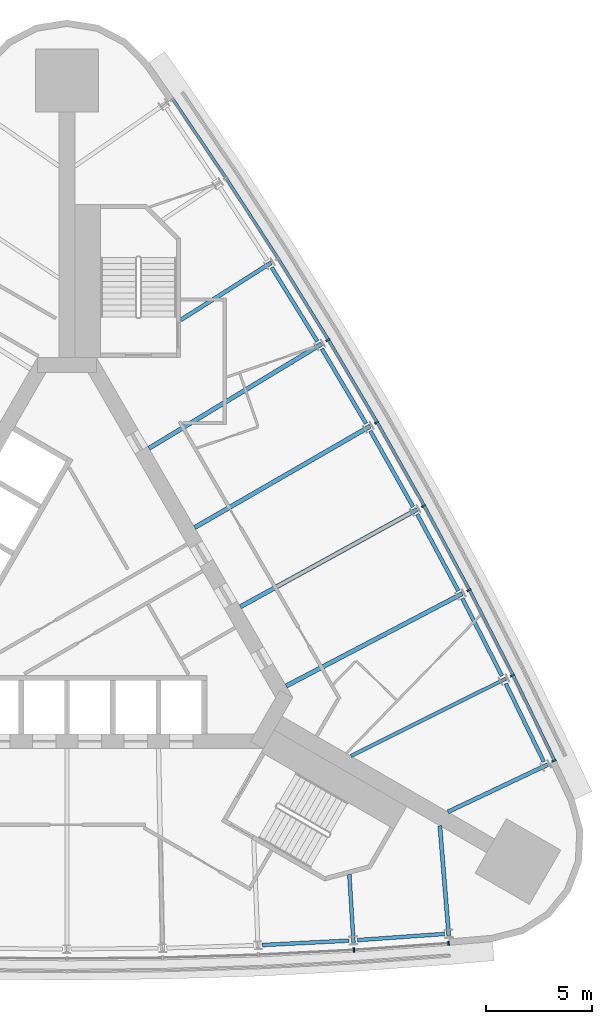
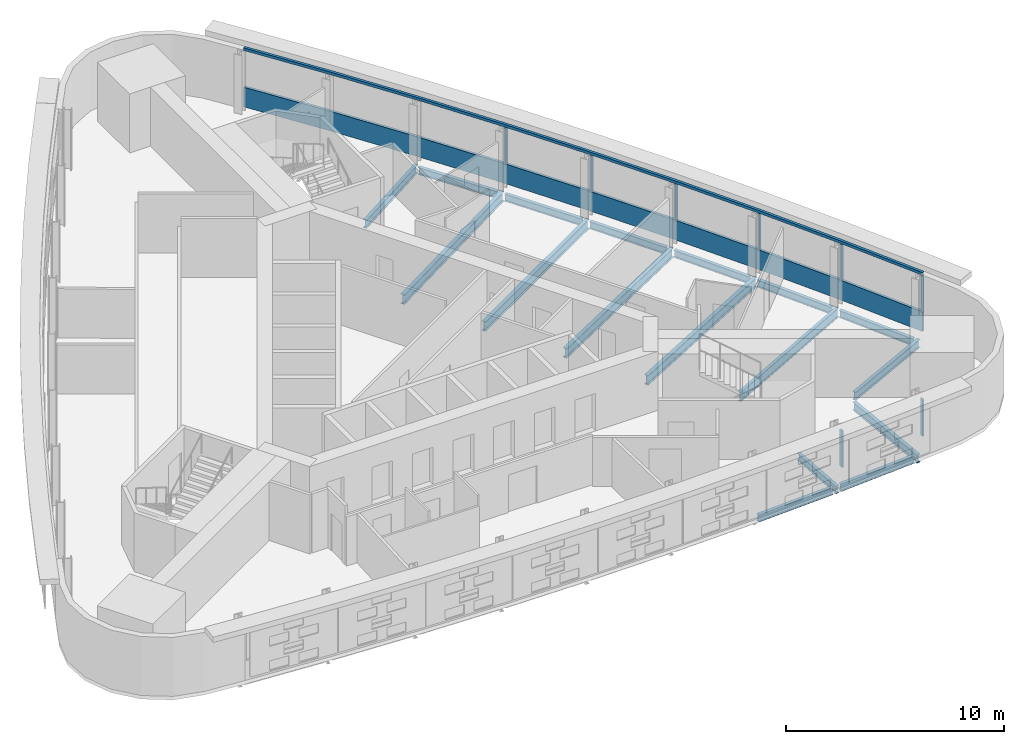
# One storey, part 4 of 11: 17 beams, 10 members, 2 elements without a shape of their own.
"""IFC4 building model written with IfcOpenShell, lengths in metres."""

from ifc_helpers import new_model, si_unit, direction, frame, origin, origin_2d, place, context, subcontext, project, spatial, polyline, rectangle, i_section, outline, extrude, material, material_profile, profile_set, type_object, element, aggregate, save


model = new_model("IFC4")

# Units and contexts
model_context = context("Model", 3, precision=1e-05, world=origin(), true_north=direction((0.0, 1.0)))
body_context = subcontext(model_context, "Body", "Model", "MODEL_VIEW")
ifc_project = project(units=[si_unit("LENGTHUNIT", "METRE"), si_unit("AREAUNIT", "SQUARE_METRE"), si_unit("VOLUMEUNIT", "CUBIC_METRE"), si_unit("PLANEANGLEUNIT", "RADIAN"), si_unit("MASSUNIT", "GRAM", prefix="KILO")], contexts=[model_context])

# Site, building, storey
site_placement = place(None, origin())
site = spatial("IfcSite", under=ifc_project, at=site_placement, CompositionType="ELEMENT")
building_placement = place(site_placement, origin())
building = spatial("IfcBuilding", under=site, at=building_placement, Name="Noor Cloister Tower", CompositionType="ELEMENT")
storey_placement = place(building_placement, frame((0.0, 0.0, 123.89990234375)))
storey = spatial("IfcBuildingStorey", under=building, at=storey_placement, Name="L32", CompositionType="ELEMENT", Elevation=123.89990234375)

# Curtain wall, member
ifc_material_1 = material(Name="Aluminium 6063-T6 anodised", Category="aluminium")
curtain_wall_type = type_object("IfcCurtainWallType", Name="Ribbon curtain wall, lower tower CW1", PredefinedType="NOTDEFINED", material=ifc_material_1)
curtain_wall_1_placement = place(storey_placement, origin())
curtain_wall_1 = element("IfcCurtainWall", 1, at=curtain_wall_1_placement, inside=storey, type_object=curtain_wall_type, Name="CW1 L32 NE run 3", PredefinedType="NOTDEFINED")
ifc_material_2 = material(Name="Aluminium 6063-T6 anodised", Category="aluminium")
member_type_1 = type_object("IfcMemberType", Name="Head transom CW1 150", PredefinedType="USERDEFINED", material=ifc_material_2)
member_1_placement = place(storey_placement, frame((0.0, 0.0, 3.150146484375)))
member_1 = element("IfcMember", 2, at=member_1_placement, type_object=member_type_1, Name="CW1 head transom", ObjectType="TRANSOM", PredefinedType="USERDEFINED", context=body_context, shape_type="SweptSolid", body=[
    extrude(outline(polyline([(22.992919921875, -7.48681640625), (21.025146484375, -3.43994140625), (18.9755859375, 0.566162109375), (16.845458984375, 4.52978515625), (14.635009765625, 8.449462890625), (12.345703125, 12.323486328125), (9.978271484375, 16.150390625), (7.533447265625, 19.92822265625), (5.0126953125, 23.65576171875), (4.896728515625, 23.577392578125), (7.416748046875, 19.85107421875), (9.85986328125, 16.075439453125), (12.225830078125, 12.251220703125), (14.513916015625, 8.379638671875), (16.72265625, 4.46240234375), (18.851806640625, 0.501220703125), (20.89990234375, -3.50244140625), (22.866943359375, -7.548095703125), (22.992919921875, -7.48681640625)])), origin(), (0.0, 0.0, 1.0), 0.14990234375),
])

# Curtain wall, members
curtain_wall_2_placement = place(storey_placement, origin())
curtain_wall_2 = element("IfcCurtainWall", 3, at=curtain_wall_2_placement, inside=storey, type_object=curtain_wall_type, Name="CW1 L32 S run 2", PredefinedType="NOTDEFINED")
ifc_material_3 = material(Name="Aluminium 6063-T6 anodised", Category="aluminium")
ifc_material_profile_1 = material_profile(ifc_material_3, rectangle(XDim=0.199951171875, YDim=0.080078125, at=origin_2d()), Name="200 x 80 mullion")
ifc_profile_set_1 = profile_set([ifc_material_profile_1], Name="Aluminium 6063-T6 anodised")
member_type_2 = type_object("IfcMemberType", Name="Mullion CW1 80 x 200", PredefinedType="MULLION", material=ifc_profile_set_1)
member_2_placement = place(storey_placement, frame((13.485595703125, -16.388427734375, 1.10009765625), z_axis=(0.0, 0.0, 1.0), x_axis=(-0.060846806136, 0.998147116503, 0.0)))
member_2 = element("IfcMember", 4, at=member_2_placement, type_object=member_type_2, Name="CW1 mullion 8", PredefinedType="MULLION", context=body_context, shape_type="SweptSolid", body=[
    extrude(rectangle(XDim=0.199951171875, YDim=0.080078125, at=origin_2d()), origin(), (0.0, 0.0, 1.0), 2.050048828125),
])
member_3_placement = place(storey_placement, frame((17.933349609375, -16.072021484375, 1.10009765625), z_axis=(0.0, 0.0, 1.0), x_axis=(-0.070972094341, 0.997478301431, 0.0)))
member_3 = element("IfcMember", 5, at=member_3_placement, type_object=member_type_2, Name="CW1 mullion 9", PredefinedType="MULLION", context=body_context, shape_type="SweptSolid", body=[
    extrude(rectangle(XDim=0.199951171875, YDim=0.080078125, at=origin_2d()), origin(), (0.0, 0.0, 1.0), 2.050048828125),
])
aggregate(curtain_wall_2, [member_2, member_3])

# Member
member_4_placement = place(storey_placement, frame((22.885498046875, -7.49462890625, 1.10009765625), z_axis=(0.0, 0.0, 1.0), x_axis=(-0.899327595933, -0.437275514056, 0.0)))
member_4 = element("IfcMember", 6, at=member_4_placement, type_object=member_type_2, Name="CW1 mullion 1", PredefinedType="MULLION", context=body_context, shape_type="SweptSolid", body=[
    extrude(rectangle(XDim=0.199951171875, YDim=0.080078125, at=origin_2d()), origin(), (0.0, 0.0, 1.0), 2.050048828125),
])

member_5_placement = place(storey_placement, frame((20.935546875, -3.484619140625, 1.10009765625), z_axis=(0.0, 0.0, 1.0), x_axis=(-0.894844162674, -0.446378678398, 0.0)))
member_5 = element("IfcMember", 7, at=member_5_placement, type_object=member_type_2, Name="CW1 mullion 2", PredefinedType="MULLION", context=body_context, shape_type="SweptSolid", body=[
    extrude(rectangle(XDim=0.199951171875, YDim=0.080078125, at=origin_2d()), origin(), (0.0, 0.0, 1.0), 2.050048828125),
])

member_6_placement = place(storey_placement, frame((18.88720703125, 0.519775390625, 1.10009765625), z_axis=(0.0, 0.0, 1.0), x_axis=(-0.885601336169, -0.464446200733, 0.0)))
member_6 = element("IfcMember", 8, at=member_6_placement, type_object=member_type_2, Name="CW1 mullion 3", PredefinedType="MULLION", context=body_context, shape_type="SweptSolid", body=[
    extrude(rectangle(XDim=0.199951171875, YDim=0.080078125, at=origin_2d()), origin(), (0.0, 0.0, 1.0), 2.050048828125),
])

member_7_placement = place(storey_placement, frame((16.7578125, 4.481689453125, 1.10009765625), z_axis=(0.0, 0.0, 1.0), x_axis=(-0.875993769707, -0.482322418549, 0.0)))
member_7 = element("IfcMember", 9, at=member_7_placement, type_object=member_type_2, Name="CW1 mullion 4", PredefinedType="MULLION", context=body_context, shape_type="SweptSolid", body=[
    extrude(rectangle(XDim=0.199951171875, YDim=0.080078125, at=origin_2d()), origin(), (0.0, 0.0, 1.0), 2.050048828125),
])

member_8_placement = place(storey_placement, frame((14.548583984375, 8.399658203125, 1.10009765625), z_axis=(0.0, 0.0, 1.0), x_axis=(-0.866025403784, -0.5, 0.0)))
member_8 = element("IfcMember", 10, at=member_8_placement, type_object=member_type_2, Name="CW1 mullion 5", PredefinedType="MULLION", context=body_context, shape_type="SweptSolid", body=[
    extrude(rectangle(XDim=0.199951171875, YDim=0.080078125, at=origin_2d()), origin(), (0.0, 0.0, 1.0), 2.050048828125),
])

member_9_placement = place(storey_placement, frame((12.26025390625, 12.271728515625, 1.10009765625), z_axis=(0.0, 0.0, 1.0), x_axis=(-0.855700352132, -0.517471648848, 0.0)))
member_9 = element("IfcMember", 11, at=member_9_placement, type_object=member_type_2, Name="CW1 mullion 6", PredefinedType="MULLION", context=body_context, shape_type="SweptSolid", body=[
    extrude(rectangle(XDim=0.199951171875, YDim=0.080078125, at=origin_2d()), origin(), (0.0, 0.0, 1.0), 2.050048828125),
])

# Beams
ifc_material_4 = material(Name="Steel ASTM A992 Gr 50", Category="steel")
ifc_material_profile_2 = material_profile(ifc_material_4, i_section(OverallWidth=0.177978515625, OverallDepth=0.406005859375, WebThickness=0.0078125, FlangeThickness=0.0126953125, FilletRadius=0.01025390625, at=origin_2d()), Name="W410x60")
ifc_profile_set_2 = profile_set([ifc_material_profile_2], Name="Steel ASTM A992 Gr 50")
beam_type_1 = type_object("IfcBeamType", Name="Radial beam W410x60", PredefinedType="BEAM", material=ifc_profile_set_2)
beam_1_placement = place(storey_placement, frame((13.46435546875, -16.03955078125, -0.40283203125), z_axis=(-0.060867192533, 0.998145873544, 0.0), x_axis=(-0.998145873544, -0.060867192533, 0.0)))
element("IfcBeam", 12, at=beam_1_placement, inside=storey, type_object=beam_type_1, Name="Radial beam S 08 L32", PredefinedType="BEAM", context=body_context, shape_type="SweptSolid", body=[
    extrude(i_section(OverallWidth=0.177978515625, OverallDepth=0.406005859375, WebThickness=0.0078125, FlangeThickness=0.0126953125, FilletRadius=0.01025390625, at=origin_2d()), origin(), (0.0, 0.0, 1.0), 3.208740234375),
])
ifc_material_5 = material(Name="Steel ASTM A992 Gr 50", Category="steel")
ifc_material_profile_3 = material_profile(ifc_material_5, i_section(OverallWidth=0.19091796875, OverallDepth=0.45703125, WebThickness=0.009033203125, FlangeThickness=0.014404296875, FilletRadius=0.01025390625, at=origin_2d()), Name="W460x74")
ifc_profile_set_3 = profile_set([ifc_material_profile_3], Name="Steel ASTM A992 Gr 50")
beam_type_2 = type_object("IfcBeamType", Name="Radial beam W460x74", PredefinedType="BEAM", material=ifc_profile_set_3)
for number, where, z_axis, x_axis, name in (
    (13, (17.94384765625, -15.720947265625, -0.428466796875), (-0.08108247603, 0.996707395418, 0.0), (-0.996707395418, -0.08108247603, 0.0), "Radial beam S 09 L32"),
    (14, (22.586669921875, -7.67919921875, -0.428466796875), (-0.903712923998, -0.428138938895, 0.0), (0.428138938895, -0.903712923998, 0.0), "Radial beam NE 01 L32"),
):
    element("IfcBeam", number, at=place(storey_placement, frame(where, z_axis=z_axis, x_axis=x_axis)), inside=storey, type_object=beam_type_2, Name=name, PredefinedType="BEAM", context=body_context, shape_type="SweptSolid", body=[
        extrude(i_section(OverallWidth=0.19091796875, OverallDepth=0.45703125, WebThickness=0.009033203125, FlangeThickness=0.014404296875, FilletRadius=0.01025390625, at=origin_2d()), origin(), (0.0, 0.0, 1.0), 5.18798828125),
    ])
beam_2_placement = place(storey_placement, frame((9.598388671875, 15.909912109375, -0.428466796875), z_axis=(-0.845037776893, -0.534706607051, 0.0), x_axis=(0.534706607051, -0.845037776893, 0.0)))
element("IfcBeam", 15, at=beam_2_placement, inside=storey, type_object=beam_type_2, Name="Radial beam NE 07 L32", PredefinedType="BEAM", context=body_context, shape_type="SweptSolid", body=[
    extrude(i_section(OverallWidth=0.19091796875, OverallDepth=0.45703125, WebThickness=0.009033203125, FlangeThickness=0.014404296875, FilletRadius=0.01025390625, at=origin_2d()), origin(), (0.0, 0.0, 1.0), 5.04443359375),
])
ifc_material_6 = material(Name="Steel ASTM A992 Gr 50", Category="steel")
ifc_material_profile_4 = material_profile(ifc_material_6, i_section(OverallWidth=0.166015625, OverallDepth=0.528076171875, WebThickness=0.009765625, FlangeThickness=0.013671875, FilletRadius=0.0126953125, at=origin_2d()), Name="W530x74")
ifc_profile_set_4 = profile_set([ifc_material_profile_4], Name="Steel ASTM A992 Gr 50")
beam_type_3 = type_object("IfcBeamType", Name="Radial beam W530x74", PredefinedType="BEAM", material=ifc_profile_set_4)
beam_3_placement = place(storey_placement, frame((20.622802734375, -3.640625, -0.4638671875), z_axis=(-0.894835035087, -0.446396975775, 0.0), x_axis=(0.446396975775, -0.894835035087, 0.0)))
element("IfcBeam", 16, at=beam_3_placement, inside=storey, type_object=beam_type_3, Name="Radial beam NE 02 L32", PredefinedType="BEAM", context=body_context, shape_type="SweptSolid", body=[
    extrude(i_section(OverallWidth=0.166015625, OverallDepth=0.528076171875, WebThickness=0.009765625, FlangeThickness=0.013671875, FilletRadius=0.0126953125, at=origin_2d()), origin(), (0.0, 0.0, 1.0), 8.1337890625),
])
ifc_material_7 = material(Name="Steel ASTM A992 Gr 50", Category="steel")
ifc_material_profile_5 = material_profile(ifc_material_7, i_section(OverallWidth=0.208984375, OverallDepth=0.532958984375, WebThickness=0.01025390625, FlangeThickness=0.015625, FilletRadius=0.0126953125, at=origin_2d()), Name="W530x92")
ifc_profile_set_5 = profile_set([ifc_material_profile_5], Name="Steel ASTM A992 Gr 50")
beam_type_4 = type_object("IfcBeamType", Name="Radial beam W530x92", PredefinedType="BEAM", material=ifc_profile_set_5)
beam_4_placement = place(storey_placement, frame((18.57763671875, 0.357421875, -0.46630859375), z_axis=(-0.885603411569, -0.46444224336, 0.0), x_axis=(0.46444224336, -0.885603411569, 0.0)))
element("IfcBeam", 17, at=beam_4_placement, inside=storey, type_object=beam_type_4, Name="Radial beam NE 03 L32", PredefinedType="BEAM", context=body_context, shape_type="SweptSolid", body=[
    extrude(i_section(OverallWidth=0.208984375, OverallDepth=0.532958984375, WebThickness=0.01025390625, FlangeThickness=0.015625, FilletRadius=0.0126953125, at=origin_2d()), origin(), (0.0, 0.0, 1.0), 9.346923828125),
])
beam_5_placement = place(storey_placement, frame((16.45166015625, 4.31298828125, -0.46630859375), z_axis=(-0.875996641486, -0.482317202787, 0.0), x_axis=(0.482317202787, -0.875996641486, 0.0)))
element("IfcBeam", 18, at=beam_5_placement, inside=storey, type_object=beam_type_4, Name="Radial beam NE 04 L32", PredefinedType="BEAM", context=body_context, shape_type="SweptSolid", body=[
    extrude(i_section(OverallWidth=0.208984375, OverallDepth=0.532958984375, WebThickness=0.01025390625, FlangeThickness=0.015625, FilletRadius=0.0126953125, at=origin_2d()), origin(), (0.0, 0.0, 1.0), 9.477783203125),
])
beam_6_placement = place(storey_placement, frame((14.245849609375, 8.224853515625, -0.46630859375), z_axis=(-0.866025463095, -0.499999897272, 0.0), x_axis=(0.499999897272, -0.866025463095, 0.0)))
element("IfcBeam", 19, at=beam_6_placement, inside=storey, type_object=beam_type_4, Name="Radial beam NE 05 L32", PredefinedType="BEAM", context=body_context, shape_type="SweptSolid", body=[
    extrude(i_section(OverallWidth=0.208984375, OverallDepth=0.532958984375, WebThickness=0.01025390625, FlangeThickness=0.015625, FilletRadius=0.0126953125, at=origin_2d()), origin(), (0.0, 0.0, 1.0), 9.521484375),
])
beam_7_placement = place(storey_placement, frame((11.961181640625, 12.091064453125, -0.46630859375), z_axis=(-0.85570360183, -0.51746627505, 0.0), x_axis=(0.51746627505, -0.85570360183, 0.0)))
element("IfcBeam", 20, at=beam_7_placement, inside=storey, type_object=beam_type_4, Name="Radial beam NE 06 L32", PredefinedType="BEAM", context=body_context, shape_type="SweptSolid", body=[
    extrude(i_section(OverallWidth=0.208984375, OverallDepth=0.532958984375, WebThickness=0.01025390625, FlangeThickness=0.015625, FilletRadius=0.0126953125, at=origin_2d()), origin(), (0.0, 0.0, 1.0), 9.47802734375),
])

# Member
ifc_material_8 = material(Name="Aluminium 6063-T6 anodised", Category="aluminium")
member_type_3 = type_object("IfcMemberType", Name="Sill transom CW1 1100", PredefinedType="USERDEFINED", material=ifc_material_8)
member_10_placement = place(storey_placement, origin())
member_10 = element("IfcMember", 21, at=member_10_placement, type_object=member_type_3, Name="CW1 sill transom", ObjectType="TRANSOM", PredefinedType="USERDEFINED", context=body_context, shape_type="SweptSolid", body=[
    extrude(outline(polyline([(22.992919921875, -7.48681640625), (21.025146484375, -3.43994140625), (18.9755859375, 0.566162109375), (16.845458984375, 4.52978515625), (14.635009765625, 8.449462890625), (12.345703125, 12.323486328125), (9.978271484375, 16.150390625), (7.533447265625, 19.92822265625), (5.0126953125, 23.65576171875), (4.896728515625, 23.577392578125), (7.416748046875, 19.85107421875), (9.85986328125, 16.075439453125), (12.225830078125, 12.251220703125), (14.513916015625, 8.379638671875), (16.72265625, 4.46240234375), (18.851806640625, 0.501220703125), (20.89990234375, -3.50244140625), (22.866943359375, -7.548095703125), (22.992919921875, -7.48681640625)])), origin(), (0.0, 0.0, 1.0), 1.10009765625),
])

aggregate(curtain_wall_1, [member_4, member_5, member_6, member_7, member_8, member_9, member_10, member_1])

# Beams
ifc_material_9 = material(Name="Steel ASTM A992 Gr 50", Category="steel")
ifc_material_profile_6 = material_profile(ifc_material_9, i_section(OverallWidth=0.177978515625, OverallDepth=0.406005859375, WebThickness=0.0078125, FlangeThickness=0.0126953125, FilletRadius=0.01025390625, at=origin_2d()), Name="W410x60")
ifc_profile_set_6 = profile_set([ifc_material_profile_6], Name="Steel ASTM A992 Gr 50")
beam_type_5 = type_object("IfcBeamType", Name="Spandrel beam W410x60", PredefinedType="SPANDREL", material=ifc_profile_set_6)
beam_8_placement = place(storey_placement, frame((9.175537109375, -16.15673828125, -0.40283203125), z_axis=(0.998713616936, 0.050706127304, 0.0), x_axis=(-0.050706127304, 0.998713616936, 0.0)))
element("IfcBeam", 22, at=beam_8_placement, inside=storey, type_object=beam_type_5, Name="Spandrel beam S 07 L32", PredefinedType="SPANDREL", context=body_context, shape_type="SweptSolid", body=[
    extrude(i_section(OverallWidth=0.177978515625, OverallDepth=0.406005859375, WebThickness=0.0078125, FlangeThickness=0.0126953125, FilletRadius=0.01025390625, at=origin_2d()), origin(), (0.0, 0.0, 1.0), 4.087890625),
])
beam_9_placement = place(storey_placement, frame((13.658203125, -15.925048828125, -0.40283203125), z_axis=(0.997479576003, 0.07095417857, 0.0), x_axis=(-0.07095417857, 0.997479576003, 0.0)))
element("IfcBeam", 23, at=beam_9_placement, inside=storey, type_object=beam_type_5, Name="Spandrel beam S 08 L32", PredefinedType="SPANDREL", context=body_context, shape_type="SweptSolid", body=[
    extrude(i_section(OverallWidth=0.177978515625, OverallDepth=0.406005859375, WebThickness=0.0078125, FlangeThickness=0.0126953125, FilletRadius=0.01025390625, at=origin_2d()), origin(), (0.0, 0.0, 1.0), 4.087646484375),
])
for number, where, z_axis, x_axis, name in (
    (24, (22.408203125, -7.5419921875, -0.40283203125), (-0.437296029783, 0.899317620386, 0.0), (-0.899317620386, -0.437296029783, 0.0), "Spandrel beam NE 01 L32"),
    (25, (20.441650390625, -3.507080078125, -0.40283203125), (-0.455436177251, 0.890268436176, 0.0), (-0.890268436176, -0.455436177251, 0.0), "Spandrel beam NE 02 L32"),
    (26, (18.393798828125, 0.4873046875, -0.40283203125), (-0.473415891139, 0.880839028436, 0.0), (-0.880839028436, -0.473415891139, 0.0), "Spandrel beam NE 03 L32"),
    (27, (16.26513671875, 4.439208984375, -0.40283203125), (-0.491165510925, 0.87106626664, 0.0), (-0.87106626664, -0.491165510925, 0.0), "Spandrel beam NE 04 L32"),
    (28, (14.056884765625, 8.34716796875, -0.40283203125), (-0.508775589434, 0.860899180854, 0.0), (-0.860899180854, -0.508775589434, 0.0), "Spandrel beam NE 05 L32"),
    (29, (11.76953125, 12.20947265625, -0.40283203125), (-0.526111975174, 0.850415304177, 0.0), (-0.850415304177, -0.526111975174, 0.0), "Spandrel beam NE 06 L32"),
):
    element("IfcBeam", number, at=place(storey_placement, frame(where, z_axis=z_axis, x_axis=x_axis)), inside=storey, type_object=beam_type_5, Name=name, PredefinedType="SPANDREL", context=body_context, shape_type="SweptSolid", body=[
        extrude(i_section(OverallWidth=0.177978515625, OverallDepth=0.406005859375, WebThickness=0.0078125, FlangeThickness=0.0126953125, FilletRadius=0.01025390625, at=origin_2d()), origin(), (0.0, 0.0, 1.0), 4.087890625),
    ])

save(model, "model.ifc")
